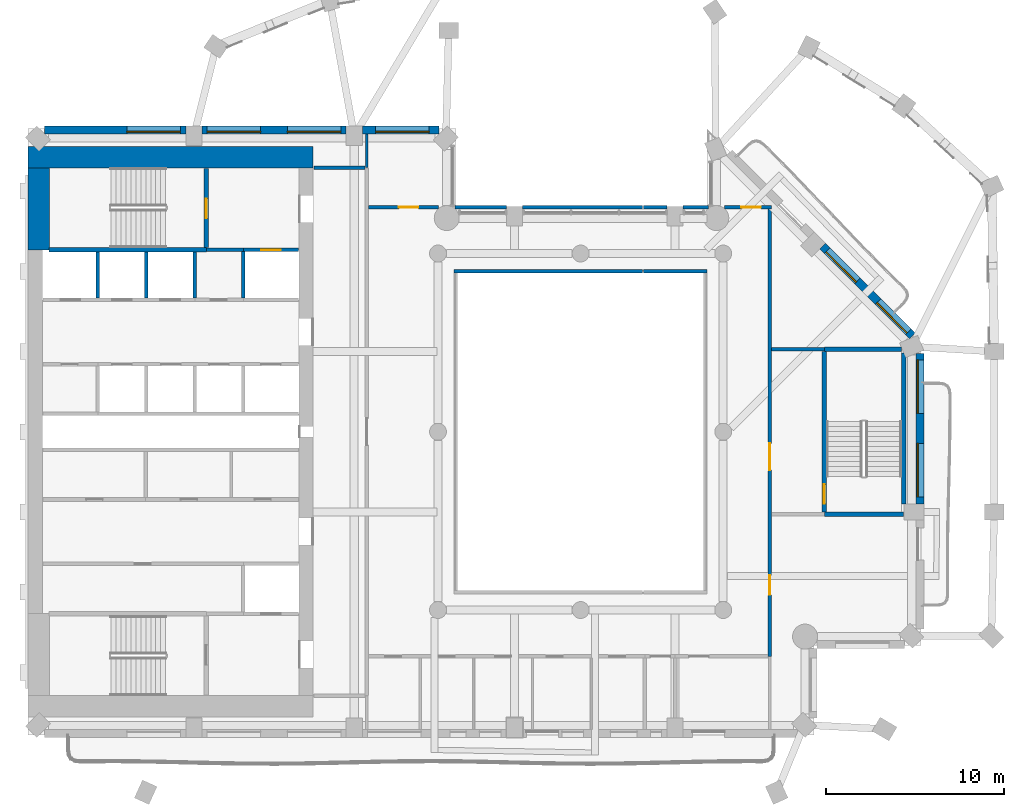
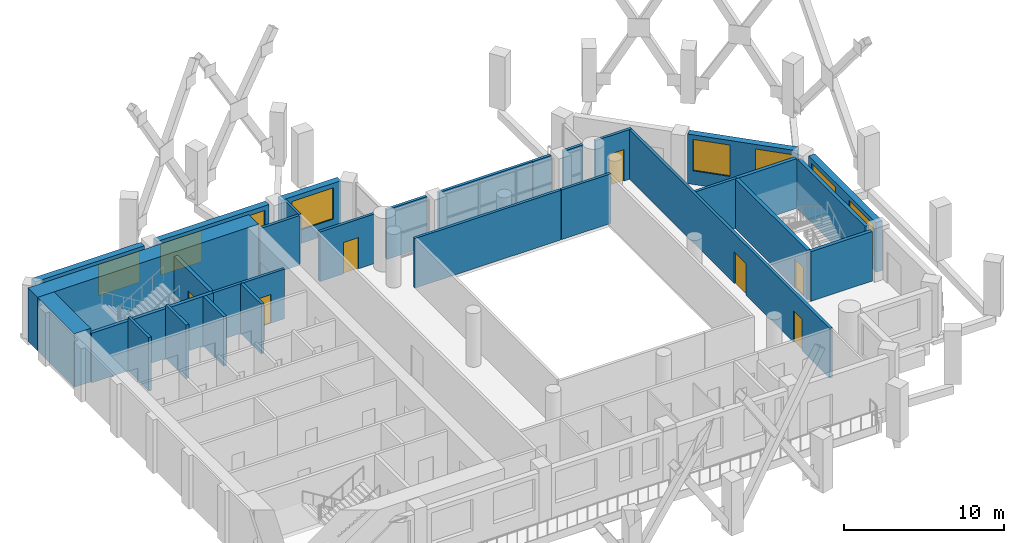
# One storey, part 6 of 15: 31 walls, 8 windows, 7 doors, 15 openings.
"""IFC4 building model written with IfcOpenShell, lengths in metres."""

import ifcopenshell
import ifcopenshell.guid

model = None  # the IFC model being written
_history = None  # IfcOwnerHistory: only IFC2X3 demands one
_inside = {}  # id of a spatial element -> (the spatial element, [elements in it])
_under = {}  # id of a project, library or spatial element -> (it, [spatial elements below it])
_declared = {}  # id of a project -> (the project, [libraries it declares])
_typed = {}  # id of a type object -> (the type object, [elements of that type])
_made_of = {}  # id of a material, layer set ... -> (it, [elements and type objects made of it])


def new_model(schema):
    """Start an empty IFC model of exactly this schema.

    Asked for "IFC4X3", IfcOpenShell would pick the latest addendum, in which some entities
    have other attributes; the version numbers below select the first issue.
    IFC2X3 requires an IfcOwnerHistory on every rooted entity: one is made here for all.
    """
    global model, _history
    if schema == "IFC4X3":
        model = ifcopenshell.file(schema_version=(4, 3, 0, 0))
    else:
        model = ifcopenshell.file(schema=schema)
    _inside.clear()
    _under.clear()
    _declared.clear()
    _typed.clear()
    _made_of.clear()
    _history = None
    if model.schema == "IFC2X3":
        org = make("IfcOrganization", Name="unknown")
        user = make(
            "IfcPersonAndOrganization",
            ThePerson=make("IfcPerson", FamilyName="unknown"),
            TheOrganization=org,
        )
        app = make(
            "IfcApplication",
            ApplicationDeveloper=org,
            Version="unknown",
            ApplicationFullName="unknown",
            ApplicationIdentifier="unknown",
        )
        _history = make(
            "IfcOwnerHistory",
            OwningUser=user,
            OwningApplication=app,
            ChangeAction="ADDED",
            CreationDate=0,
        )
    return model


def make(cls, **values):
    """One entity of the class cls with the attributes given. An attribute that is None is left unset."""
    return model.create_entity(
        cls, **{name: value for name, value in values.items() if value is not None}
    )


def rooted(cls, **values):
    """An entity with a GlobalId (a new one), such as an element, a storey or a relation."""
    return make(cls, GlobalId=ifcopenshell.guid.new(), OwnerHistory=_history, **values)


def si_unit(unit_type, name, prefix=None):
    """IfcSIUnit, for example si_unit("LENGTHUNIT", "METRE", prefix="MILLI")."""
    return make("IfcSIUnit", UnitType=unit_type, Prefix=prefix, Name=name)


def assignment(units):
    """IfcUnitAssignment: the units of a project."""
    return None if units is None else make("IfcUnitAssignment", Units=units)


def point(xyz):
    """IfcCartesianPoint."""
    return None if xyz is None else make("IfcCartesianPoint", Coordinates=xyz)


def direction(xyz):
    """IfcDirection."""
    return None if xyz is None else make("IfcDirection", DirectionRatios=xyz)


def frame(location, z_axis=None, x_axis=None):
    """IfcAxis2Placement3D, a coordinate frame: its origin and axes. An axis left out is left unset."""
    return make(
        "IfcAxis2Placement3D",
        Location=point(location),
        Axis=direction(z_axis),
        RefDirection=direction(x_axis),
    )


def frame_2d(location, x_axis=None):
    """IfcAxis2Placement2D, a coordinate frame in the plane: its origin and x axis."""
    return make(
        "IfcAxis2Placement2D", Location=point(location), RefDirection=direction(x_axis)
    )


def origin():
    """The frame at (0, 0, 0) with its axes left unset."""
    return frame((0.0, 0.0, 0.0))


def place(relative_to, where):
    """IfcLocalPlacement: puts the frame where relative to a parent placement (None: the world)."""
    return make(
        "IfcLocalPlacement", PlacementRelTo=relative_to, RelativePlacement=where
    )


def context(
    kind, dimensions, precision=None, world=None, true_north=None, identifier=None
):
    """IfcGeometricRepresentationContext, for example the 3D "Model" context."""
    return make(
        "IfcGeometricRepresentationContext",
        ContextIdentifier=identifier,
        ContextType=kind,
        CoordinateSpaceDimension=dimensions,
        Precision=precision,
        WorldCoordinateSystem=world,
        TrueNorth=true_north,
    )


def subcontext(parent, identifier, kind, view, scale=None):
    """IfcGeometricRepresentationSubContext, for example "Body" below "Model"."""
    return make(
        "IfcGeometricRepresentationSubContext",
        ContextIdentifier=identifier,
        ContextType=kind,
        ParentContext=parent,
        TargetScale=scale,
        TargetView=view,
    )


def project(units=None, contexts=None):
    """IfcProject with its units and contexts."""
    return rooted(
        "IfcProject",
        Name="project",
        RepresentationContexts=contexts,
        UnitsInContext=assignment(units),
    )


def spatial(cls, under=None, at=None, **own):
    """A site, building, storey or space (cls), placed at a placement, below another one or the project."""
    s = rooted(cls, ObjectPlacement=at, **own)
    if under is not None:
        _under.setdefault(under.id(), (under, []))[1].append(s)
    return s


def profile(cls, at=None, kind="AREA", **sizes):
    """A parametric profile (cls). Its sizes go by their IFC names, for example OverallWidth=200.0."""
    return make(cls, ProfileType=kind, Position=at, **sizes)


def rectangle(**sizes):
    """IfcRectangleProfileDef."""
    return profile("IfcRectangleProfileDef", **sizes)


def extrude(swept, where, along, depth):
    """IfcExtrudedAreaSolid: the profile swept, set in the frame where, extruded along a direction by depth."""
    return make(
        "IfcExtrudedAreaSolid",
        SweptArea=swept,
        Position=where,
        ExtrudedDirection=direction(along),
        Depth=depth,
    )


def shape(context_of_items, identifier, shape_type, items):
    """IfcShapeRepresentation: the items that make up one representation, for example the "Body"."""
    return make(
        "IfcShapeRepresentation",
        ContextOfItems=context_of_items,
        RepresentationIdentifier=identifier,
        RepresentationType=shape_type,
        Items=items,
    )


def material(Name=None, Category=None):
    """IfcMaterial."""
    return make("IfcMaterial", Name=Name, Category=Category)


def layer(
    of_material, thickness, ventilated=None, Name=None, Category=None, Priority=None
):
    """IfcMaterialLayer: one layer of a wall or slab, of a material (None: an air gap)."""
    return make(
        "IfcMaterialLayer",
        Material=of_material,
        LayerThickness=thickness,
        IsVentilated=ventilated,
        Name=Name,
        Category=Category,
        Priority=Priority,
    )


def layer_set(layers, Name=None):
    """IfcMaterialLayerSet."""
    return make("IfcMaterialLayerSet", MaterialLayers=layers, LayerSetName=Name)


def made_of(thing, what):
    """Note that an element or type object is made of a material, layer set ...; save() writes the relation."""
    if what is not None:
        _made_of.setdefault(what.id(), (what, []))[1].append(thing)
    return thing


def type_object(cls, material=None, **own):
    """A type object (cls), such as IfcWallType, which elements share."""
    return made_of(rooted(cls, **own), material)


def element(
    cls,
    number,
    at=None,
    inside=None,
    cuts=None,
    type_object=None,
    material=None,
    context=None,
    identifier="Body",
    shape_type=None,
    held_by="IfcProductDefinitionShape",
    body=None,
    shapes=None,
    **own,
):
    """One element of the class cls, such as IfcWall. Its Tag is "e" and its number.

    at: its placement. inside: the storey or other place that contains it. cuts: it is an
    opening in that element (IfcRelVoidsElement). A single representation is given by context,
    identifier, shape_type and body (its items); several are given by shapes. held_by: the class
    of the entity that holds the representations. save() writes the other relations.
    """
    e = rooted(cls, Tag="e%d" % number, ObjectPlacement=at, **own)
    if body is not None:
        shapes = [shape(context, identifier, shape_type, body)]
    if shapes is not None:
        e.Representation = make(held_by, Representations=shapes)
    if inside is not None:
        _inside.setdefault(inside.id(), (inside, []))[1].append(e)
    if cuts is not None:
        rooted(
            "IfcRelVoidsElement", RelatingBuildingElement=cuts, RelatedOpeningElement=e
        )
    if type_object is not None:
        _typed.setdefault(type_object.id(), (type_object, []))[1].append(e)
    return made_of(e, material)


def fill(opening, filler):
    """IfcRelFillsElement: the door or window that sits in an opening."""
    return rooted(
        "IfcRelFillsElement",
        RelatingOpeningElement=opening,
        RelatedBuildingElement=filler,
    )


def aggregate(whole, parts):
    """IfcRelAggregates: a whole, such as a stair, and the parts it consists of."""
    return rooted("IfcRelAggregates", RelatingObject=whole, RelatedObjects=parts)


def save(model, path):
    """Write the relations noted so far, then the file.

    IfcRelAggregates (storeys below a building ...), IfcRelContainedInSpatialStructure (elements
    in a storey), IfcRelDefinesByType, IfcRelAssociatesMaterial and IfcRelDeclares: one each for
    every whole, place, type object, material and project.
    """
    for whole, parts in _under.values():
        aggregate(whole, parts)
    for where, things in _inside.values():
        rooted(
            "IfcRelContainedInSpatialStructure",
            RelatedElements=things,
            RelatingStructure=where,
        )
    for kind, things in _typed.values():
        rooted("IfcRelDefinesByType", RelatedObjects=things, RelatingType=kind)
    for what, things in _made_of.values():
        rooted("IfcRelAssociatesMaterial", RelatedObjects=things, RelatingMaterial=what)
    for by, libraries in _declared.values():
        rooted("IfcRelDeclares", RelatingContext=by, RelatedDefinitions=libraries)
    model.write(path)


model = new_model("IFC4")

# Units and contexts
model_context = context("Model", 3, precision=1e-05, world=origin(), true_north=direction((0.0, 1.0)))
body_context = subcontext(model_context, "Body", "Model", "MODEL_VIEW")
ifc_project = project(units=[si_unit("LENGTHUNIT", "METRE"), si_unit("AREAUNIT", "SQUARE_METRE"), si_unit("VOLUMEUNIT", "CUBIC_METRE"), si_unit("PLANEANGLEUNIT", "RADIAN"), si_unit("MASSUNIT", "GRAM", prefix="KILO")], contexts=[model_context])

# Site, building, storey
site_placement = place(None, origin())
site = spatial("IfcSite", under=ifc_project, at=site_placement, CompositionType="ELEMENT")
building_placement = place(site_placement, origin())
building = spatial("IfcBuilding", under=site, at=building_placement, Name="Cypress Arch Tower", CompositionType="ELEMENT")
storey_placement = place(building_placement, frame((0.0, 0.0, 205.60009765625)))
storey = spatial("IfcBuildingStorey", under=building, at=storey_placement, Name="L45", CompositionType="ELEMENT", Elevation=205.60009765625)

# Wall, openings, windows
ifc_material_1 = material(Name="Brick (red buff blend)", Category="masonry")
ifc_layer_1 = layer(ifc_material_1, 0.449951171875)
ifc_layer_set_1 = layer_set([ifc_layer_1], Name="Brick pier and spandrel wall BW450")
wall_type_1 = type_object("IfcWallType", Name="Brick pier and spandrel wall BW450", PredefinedType="SOLIDWALL", material=ifc_layer_set_1)
wall_1_placement = place(storey_placement, frame((20.02490234375, -4.050048828125, 0.0), z_axis=(0.0, 0.0, 1.0), x_axis=(0.0, 1.0, 0.0)))
wall_1 = element("IfcWall", 1, at=wall_1_placement, inside=storey, type_object=wall_type_1, Name="Brick wall L45 B04.1", PredefinedType="SOLIDWALL", context=body_context, shape_type="SweptSolid", body=[
    extrude(rectangle(XDim=8.438720703125, YDim=0.449951171875, at=frame_2d((4.21923828125, 0.0))), origin(), (0.0, 0.0, 1.0), 3.7998046875),
])
opening_1_placement = place(wall_1_placement, frame((0.39404296875, 0.0, 1.050048828125)))
opening_1 = element("IfcOpeningElement", 2, at=opening_1_placement, cuts=wall_1, Name="Opening W300OD", PredefinedType="OPENING", context=body_context, shape_type="SweptSolid", body=[
    extrude(rectangle(XDim=3.0, YDim=2.39990234375, at=frame_2d((1.5, 1.199951171875))), frame((0.0, 0.23486328125, 0.0), z_axis=(0.0, -1.0, 0.0), x_axis=(1.0, 0.0, 0.0)), (0.0, 0.0, 1.0), 0.469970703125),
])
opening_2_placement = place(wall_1_placement, frame((5.081787109375, 0.0, 1.050048828125)))
opening_2 = element("IfcOpeningElement", 3, at=opening_2_placement, cuts=wall_1, Name="Opening W300OD", PredefinedType="OPENING", context=body_context, shape_type="SweptSolid", body=[
    extrude(rectangle(XDim=3.0, YDim=2.39990234375, at=frame_2d((1.5, 1.199951171875))), frame((0.0, 0.23486328125, 0.0), z_axis=(0.0, -1.0, 0.0), x_axis=(1.0, 0.0, 0.0)), (0.0, 0.0, 1.0), 0.469970703125),
])
ifc_material_2 = material(Name="Anodised aluminium, bronze finish, laminated low-emissivity double glazing, large-missile impact rated", Category="aluminium")
window_type_1 = type_object("IfcWindowType", Name="Window Office 3000x2400 debris-rated", PartitioningType="SINGLE_PANEL", PredefinedType="WINDOW", material=ifc_material_2)
window_1_placement = place(opening_1_placement, origin())
window_1 = element("IfcWindow", 4, at=window_1_placement, inside=storey, type_object=window_type_1, Name="Window L45 B04.1.1", OverallHeight=2.39990234375, OverallWidth=3.0, PartitioningType="SINGLE_PANEL", PredefinedType="WINDOW", context=body_context, shape_type="SweptSolid", body=[
    extrude(rectangle(XDim=3.0, YDim=2.39990234375, at=frame_2d((1.5, 1.199951171875))), frame((0.0, 0.135009765625, 0.0), z_axis=(0.0, -1.0, 0.0), x_axis=(1.0, 0.0, 0.0)), (0.0, 0.0, 1.0), 0.06005859375),
])
fill(opening_1, window_1)
window_2_placement = place(opening_2_placement, origin())
window_2 = element("IfcWindow", 5, at=window_2_placement, inside=storey, type_object=window_type_1, Name="Window L45 B04.1.2", OverallHeight=2.39990234375, OverallWidth=3.0, PartitioningType="SINGLE_PANEL", PredefinedType="WINDOW", context=body_context, shape_type="SweptSolid", body=[
    extrude(rectangle(XDim=3.0, YDim=2.39990234375, at=frame_2d((1.5, 1.199951171875))), frame((0.0, 0.135009765625, 0.0), z_axis=(0.0, -1.0, 0.0), x_axis=(1.0, 0.0, 0.0)), (0.0, 0.0, 1.0), 0.06005859375),
])
fill(opening_2, window_2)

wall_2_placement = place(storey_placement, frame((19.61474609375, 5.379150390625, 0.0), z_axis=(0.0, 0.0, 1.0), x_axis=(-0.707089646058, 0.7071239159, 0.0)))
wall_2 = element("IfcWall", 6, at=wall_2_placement, inside=storey, type_object=wall_type_1, Name="Brick wall L45 B05.0", PredefinedType="SOLIDWALL", context=body_context, shape_type="SweptSolid", body=[
    extrude(rectangle(XDim=7.1240234375, YDim=0.449951171875, at=frame_2d((3.56201171875, 0.0))), origin(), (0.0, 0.0, 1.0), 3.7998046875),
])
opening_3_placement = place(wall_2_placement, frame((0.328125, 0.0, 1.050048828125)))
opening_3 = element("IfcOpeningElement", 7, at=opening_3_placement, cuts=wall_2, Name="Opening W240OD", PredefinedType="OPENING", context=body_context, shape_type="SweptSolid", body=[
    extrude(rectangle(XDim=2.39990234375, YDim=2.39990234375, at=frame_2d((1.199951171875, 1.199951171875))), frame((0.0, 0.23486328125, 0.0), z_axis=(0.0, -1.0, 0.0), x_axis=(1.0, 0.0, 0.0)), (0.0, 0.0, 1.0), 0.469970703125),
])
opening_4_placement = place(wall_2_placement, frame((4.358642578125, 0.0, 1.050048828125)))
opening_4 = element("IfcOpeningElement", 8, at=opening_4_placement, cuts=wall_2, Name="Opening W240OD", PredefinedType="OPENING", context=body_context, shape_type="SweptSolid", body=[
    extrude(rectangle(XDim=2.39990234375, YDim=2.39990234375, at=frame_2d((1.199951171875, 1.199951171875))), frame((0.0, 0.23486328125, 0.0), z_axis=(0.0, -1.0, 0.0), x_axis=(1.0, 0.0, 0.0)), (0.0, 0.0, 1.0), 0.469970703125),
])
ifc_material_3 = material(Name="Anodised aluminium, bronze finish, laminated low-emissivity double glazing, large-missile impact rated", Category="aluminium")
window_type_2 = type_object("IfcWindowType", Name="Window Office 2400x2400 debris-rated", PartitioningType="SINGLE_PANEL", PredefinedType="WINDOW", material=ifc_material_3)
window_3_placement = place(opening_3_placement, origin())
window_3 = element("IfcWindow", 9, at=window_3_placement, inside=storey, type_object=window_type_2, Name="Window L45 B05.0.1", OverallHeight=2.39990234375, OverallWidth=2.39990234375, PartitioningType="SINGLE_PANEL", PredefinedType="WINDOW", context=body_context, shape_type="SweptSolid", body=[
    extrude(rectangle(XDim=2.39990234375, YDim=2.39990234375, at=frame_2d((1.199951171875, 1.199951171875))), frame((0.0, 0.135009765625, 0.0), z_axis=(0.0, -1.0, 0.0), x_axis=(1.0, 0.0, 0.0)), (0.0, 0.0, 1.0), 0.06005859375),
])
fill(opening_3, window_3)
window_4_placement = place(opening_4_placement, origin())
window_4 = element("IfcWindow", 10, at=window_4_placement, inside=storey, type_object=window_type_2, Name="Window L45 B05.0.2", OverallHeight=2.39990234375, OverallWidth=2.39990234375, PartitioningType="SINGLE_PANEL", PredefinedType="WINDOW", context=body_context, shape_type="SweptSolid", body=[
    extrude(rectangle(XDim=2.39990234375, YDim=2.39990234375, at=frame_2d((1.199951171875, 1.199951171875))), frame((0.0, 0.135009765625, 0.0), z_axis=(0.0, -1.0, 0.0), x_axis=(1.0, 0.0, 0.0)), (0.0, 0.0, 1.0), 0.06005859375),
])
fill(opening_4, window_4)

# Wall, opening, window
wall_3_placement = place(storey_placement, frame((-6.936279296875, 16.925048828125, 0.0), z_axis=(0.0, 0.0, 1.0), x_axis=(-1.0, 0.0, 0.0)))
wall_3 = element("IfcWall", 11, at=wall_3_placement, inside=storey, type_object=wall_type_1, Name="Brick wall L45 B09.0", PredefinedType="SOLIDWALL", context=body_context, shape_type="SweptSolid", body=[
    extrude(rectangle(XDim=4.313720703125, YDim=0.449951171875, at=frame_2d((2.15673828125, 0.0))), origin(), (0.0, 0.0, 1.0), 3.7998046875),
])
opening_5_placement = place(wall_3_placement, frame((0.563720703125, 0.0, 1.050048828125)))
opening_5 = element("IfcOpeningElement", 12, at=opening_5_placement, cuts=wall_3, Name="Opening W300O", PredefinedType="OPENING", context=body_context, shape_type="SweptSolid", body=[
    extrude(rectangle(XDim=3.0, YDim=2.39990234375, at=frame_2d((1.5, 1.199951171875))), frame((0.0, 0.23486328125, 0.0), z_axis=(0.0, -1.0, 0.0), x_axis=(1.0, 0.0, 0.0)), (0.0, 0.0, 1.0), 0.469970703125),
])
ifc_material_4 = material(Name="Anodised aluminium, bronze finish, clear low-emissivity double glazing", Category="aluminium")
window_type_3 = type_object("IfcWindowType", Name="Window Office 3000x2400", PartitioningType="SINGLE_PANEL", PredefinedType="WINDOW", material=ifc_material_4)
window_5_placement = place(opening_5_placement, origin())
window_5 = element("IfcWindow", 13, at=window_5_placement, inside=storey, type_object=window_type_3, Name="Window L45 B09.0.1", OverallHeight=2.39990234375, OverallWidth=3.0, PartitioningType="SINGLE_PANEL", PredefinedType="WINDOW", context=body_context, shape_type="SweptSolid", body=[
    extrude(rectangle(XDim=3.0, YDim=2.39990234375, at=frame_2d((1.5, 1.199951171875))), frame((0.0, 0.135009765625, 0.0), z_axis=(0.0, -1.0, 0.0), x_axis=(1.0, 0.0, 0.0)), (0.0, 0.0, 1.0), 0.06005859375),
])
fill(opening_5, window_5)

# Wall, openings, windows
wall_4_placement = place(storey_placement, frame((-12.14990234375, 16.925048828125, 0.0), z_axis=(0.0, 0.0, 1.0), x_axis=(-1.0, 0.0, 0.0)))
wall_4 = element("IfcWall", 14, at=wall_4_placement, inside=storey, type_object=wall_type_1, Name="Brick wall L45 B09.1", PredefinedType="SOLIDWALL", context=body_context, shape_type="SweptSolid", body=[
    extrude(rectangle(XDim=8.10009765625, YDim=0.449951171875, at=frame_2d((4.050048828125, 0.0))), origin(), (0.0, 0.0, 1.0), 3.7998046875),
])
opening_6_placement = place(wall_4_placement, frame((0.300048828125, 0.0, 1.050048828125)))
opening_6 = element("IfcOpeningElement", 15, at=opening_6_placement, cuts=wall_4, Name="Opening W300O", PredefinedType="OPENING", context=body_context, shape_type="SweptSolid", body=[
    extrude(rectangle(XDim=3.0, YDim=2.39990234375, at=frame_2d((1.5, 1.199951171875))), frame((0.0, 0.23486328125, 0.0), z_axis=(0.0, -1.0, 0.0), x_axis=(1.0, 0.0, 0.0)), (0.0, 0.0, 1.0), 0.469970703125),
])
opening_7_placement = place(wall_4_placement, frame((4.800048828125, 0.0, 1.050048828125)))
opening_7 = element("IfcOpeningElement", 16, at=opening_7_placement, cuts=wall_4, Name="Opening W300O", PredefinedType="OPENING", context=body_context, shape_type="SweptSolid", body=[
    extrude(rectangle(XDim=3.0, YDim=2.39990234375, at=frame_2d((1.5, 1.199951171875))), frame((0.0, 0.23486328125, 0.0), z_axis=(0.0, -1.0, 0.0), x_axis=(1.0, 0.0, 0.0)), (0.0, 0.0, 1.0), 0.469970703125),
])
window_6_placement = place(opening_6_placement, origin())
window_6 = element("IfcWindow", 17, at=window_6_placement, inside=storey, type_object=window_type_3, Name="Window L45 B09.1.1", OverallHeight=2.39990234375, OverallWidth=3.0, PartitioningType="SINGLE_PANEL", PredefinedType="WINDOW", context=body_context, shape_type="SweptSolid", body=[
    extrude(rectangle(XDim=3.0, YDim=2.39990234375, at=frame_2d((1.5, 1.199951171875))), frame((0.0, 0.135009765625, 0.0), z_axis=(0.0, -1.0, 0.0), x_axis=(1.0, 0.0, 0.0)), (0.0, 0.0, 1.0), 0.06005859375),
])
fill(opening_6, window_6)
window_7_placement = place(opening_7_placement, origin())
window_7 = element("IfcWindow", 18, at=window_7_placement, inside=storey, type_object=window_type_3, Name="Window L45 B09.1.2", OverallHeight=2.39990234375, OverallWidth=3.0, PartitioningType="SINGLE_PANEL", PredefinedType="WINDOW", context=body_context, shape_type="SweptSolid", body=[
    extrude(rectangle(XDim=3.0, YDim=2.39990234375, at=frame_2d((1.5, 1.199951171875))), frame((0.0, 0.135009765625, 0.0), z_axis=(0.0, -1.0, 0.0), x_axis=(1.0, 0.0, 0.0)), (0.0, 0.0, 1.0), 0.06005859375),
])
fill(opening_7, window_7)

# Wall, opening, window
wall_5_placement = place(storey_placement, frame((-21.14990234375, 16.925048828125, 0.0), z_axis=(0.0, 0.0, 1.0), x_axis=(-1.0, 0.0, 0.0)))
wall_5 = element("IfcWall", 19, at=wall_5_placement, inside=storey, type_object=wall_type_1, Name="Brick wall L45 B09.2", PredefinedType="SOLIDWALL", context=body_context, shape_type="SweptSolid", body=[
    extrude(rectangle(XDim=7.913818359375, YDim=0.449951171875, at=frame_2d((3.95703125, 0.0))), origin(), (0.0, 0.0, 1.0), 3.7998046875),
])
opening_8_placement = place(wall_5_placement, frame((0.300048828125, 0.0, 1.050048828125)))
opening_8 = element("IfcOpeningElement", 20, at=opening_8_placement, cuts=wall_5, Name="Opening W300O", PredefinedType="OPENING", context=body_context, shape_type="SweptSolid", body=[
    extrude(rectangle(XDim=3.0, YDim=2.39990234375, at=frame_2d((1.5, 1.199951171875))), frame((0.0, 0.23486328125, 0.0), z_axis=(0.0, -1.0, 0.0), x_axis=(1.0, 0.0, 0.0)), (0.0, 0.0, 1.0), 0.469970703125),
])
window_8_placement = place(opening_8_placement, origin())
window_8 = element("IfcWindow", 21, at=window_8_placement, inside=storey, type_object=window_type_3, Name="Window L45 B09.2.1", OverallHeight=2.39990234375, OverallWidth=3.0, PartitioningType="SINGLE_PANEL", PredefinedType="WINDOW", context=body_context, shape_type="SweptSolid", body=[
    extrude(rectangle(XDim=3.0, YDim=2.39990234375, at=frame_2d((1.5, 1.199951171875))), frame((0.0, 0.135009765625, 0.0), z_axis=(0.0, -1.0, 0.0), x_axis=(1.0, 0.0, 0.0)), (0.0, 0.0, 1.0), 0.06005859375),
])
fill(opening_8, window_8)

# Walls
ifc_material_5 = material(Name="Concrete C70/85", Category="concrete")
ifc_layer_2 = layer(ifc_material_5, 1.199951171875)
ifc_layer_set_2 = layer_set([ifc_layer_2], Name="Core wall CW1200 C70/85")
wall_type_2 = type_object("IfcWallType", Name="Core wall CW1200 C70/85", PredefinedType="SHEAR", material=ifc_layer_set_2)
wall_6_placement = place(storey_placement, frame((-30.0, 15.39990234375, 0.0), z_axis=(0.0, 0.0, 1.0), x_axis=(1.0, 0.0, 0.0)))
element("IfcWall", 22, at=wall_6_placement, inside=storey, type_object=wall_type_2, Name="Core wall", PredefinedType="SHEAR", context=body_context, shape_type="SweptSolid", body=[
    extrude(rectangle(XDim=16.0, YDim=1.199951171875, at=frame_2d((8.0, 0.0))), origin(), (0.0, 0.0, 1.0), 4.099853515625),
])
wall_7_placement = place(storey_placement, frame((-29.39990234375, 10.199951171875, 0.0), z_axis=(0.0, 0.0, 1.0), x_axis=(0.0, 1.0, 0.0)))
element("IfcWall", 23, at=wall_7_placement, inside=storey, type_object=wall_type_2, Name="Core wall", PredefinedType="SHEAR", context=body_context, shape_type="SweptSolid", body=[
    extrude(rectangle(XDim=4.60009765625, YDim=1.199951171875, at=frame_2d((2.300048828125, 0.0))), origin(), (0.0, 0.0, 1.0), 4.099853515625),
])
ifc_material_6 = material(Name="Concrete blockwork, plastered, rated", Category="masonry")
ifc_layer_3 = layer(ifc_material_6, 0.199951171875)
ifc_layer_set_3 = layer_set([ifc_layer_3], Name="Corridor wall FW200")
wall_type_3 = type_object("IfcWallType", Name="Corridor wall FW200", PredefinedType="PARTITIONING", material=ifc_layer_set_3)
wall_8_placement = place(storey_placement, frame((-20.0, 10.199951171875, 0.0), z_axis=(0.0, 0.0, 1.0), x_axis=(1.0, 0.0, 0.0)))
element("IfcWall", 24, at=wall_8_placement, inside=storey, type_object=wall_type_3, Name="Corridor wall", PredefinedType="PARTITIONING", context=body_context, shape_type="SweptSolid", body=[
    extrude(rectangle(XDim=2.080078125, YDim=0.199951171875, at=frame_2d((1.0400390625, 0.0))), origin(), (0.0, 0.0, 1.0), 3.7998046875),
])
wall_9_placement = place(storey_placement, frame((-13.969970703125, 14.800048828125, 0.0), z_axis=(0.0, 0.0, 1.0), x_axis=(1.0, 0.0, 0.0)))
element("IfcWall", 25, at=wall_9_placement, inside=storey, type_object=wall_type_3, Name="Corridor wall", PredefinedType="PARTITIONING", context=body_context, shape_type="SweptSolid", body=[
    extrude(rectangle(XDim=2.869873046875, YDim=0.199951171875, at=frame_2d((1.43505859375, 0.0))), origin(), (0.0, 0.0, 1.0), 3.7998046875),
])

# Wall, opening, door
wall_10_placement = place(storey_placement, frame((-10.89990234375, 12.60009765625, 0.0), z_axis=(0.0, 0.0, 1.0), x_axis=(1.0, 0.0, 0.0)))
wall_10 = element("IfcWall", 26, at=wall_10_placement, inside=storey, type_object=wall_type_3, Name="Corridor wall", PredefinedType="PARTITIONING", context=body_context, shape_type="SweptSolid", body=[
    extrude(rectangle(XDim=3.935302734375, YDim=0.199951171875, at=frame_2d((1.9677734375, 0.0))), origin(), (0.0, 0.0, 1.0), 3.7998046875),
])
opening_9_placement = place(wall_10_placement, frame((1.699951171875, 0.0, 0.0)))
opening_9 = element("IfcOpeningElement", 27, at=opening_9_placement, cuts=wall_10, Name="Opening D01", PredefinedType="OPENING", context=body_context, shape_type="SweptSolid", body=[
    extrude(rectangle(XDim=1.10009765625, YDim=2.39990234375, at=frame_2d((0.550048828125, 1.199951171875))), frame((0.0, 0.10986328125, 0.0), z_axis=(0.0, -1.0, 0.0), x_axis=(1.0, 0.0, 0.0)), (0.0, 0.0, 1.0), 0.219970703125),
])
ifc_material_7 = material(Name="Timber flush door, fire resisting, self-closing", Category="wood")
door_type_1 = type_object("IfcDoorType", Name="Unit entrance door D01 1100x2400", OperationType="SINGLE_SWING_LEFT", PredefinedType="DOOR", material=ifc_material_7)
door_1_placement = place(opening_9_placement, origin())
door_1 = element("IfcDoor", 28, at=door_1_placement, inside=storey, type_object=door_type_1, Name="Unit entrance door", OperationType="SINGLE_SWING_LEFT", OverallHeight=2.39990234375, OverallWidth=1.10009765625, PredefinedType="DOOR", context=body_context, shape_type="SweptSolid", body=[
    extrude(rectangle(XDim=1.10009765625, YDim=2.39990234375, at=frame_2d((0.550048828125, 1.199951171875))), frame((0.0, 0.02490234375, 0.0), z_axis=(0.0, -1.0, 0.0), x_axis=(1.0, 0.0, 0.0)), (0.0, 0.0, 1.0), 0.050048828125),
])
fill(opening_9, door_1)

# Walls
wall_11_placement = place(storey_placement, frame((-6.0595703125, 12.60009765625, 0.0), z_axis=(0.0, 0.0, 1.0), x_axis=(1.0, 0.0, 0.0)))
element("IfcWall", 29, at=wall_11_placement, inside=storey, type_object=wall_type_3, Name="Corridor wall", PredefinedType="PARTITIONING", context=body_context, shape_type="SweptSolid", body=[
    extrude(rectangle(XDim=2.90966796875, YDim=0.199951171875, at=frame_2d((1.454833984375, 0.0))), origin(), (0.0, 0.0, 1.0), 3.7998046875),
])
wall_12_placement = place(storey_placement, frame((-2.25, 12.60009765625, 0.0), z_axis=(0.0, 0.0, 1.0), x_axis=(1.0, 0.0, 0.0)))
element("IfcWall", 30, at=wall_12_placement, inside=storey, type_object=wall_type_3, Name="Corridor wall", PredefinedType="PARTITIONING", context=body_context, shape_type="SweptSolid", body=[
    extrude(rectangle(XDim=6.72998046875, YDim=0.199951171875, at=frame_2d((3.364990234375, 0.0))), origin(), (0.0, 0.0, 1.0), 3.7998046875),
])
wall_13_placement = place(storey_placement, frame((-6.10009765625, 9.0, 0.0), z_axis=(0.0, 0.0, 1.0), x_axis=(1.0, 0.0, 0.0)))
element("IfcWall", 31, at=wall_13_placement, inside=storey, type_object=wall_type_3, Name="Corridor wall", PredefinedType="PARTITIONING", context=body_context, shape_type="SweptSolid", body=[
    extrude(rectangle(XDim=10.580078125, YDim=0.199951171875, at=frame_2d((5.2900390625, 0.0))), origin(), (0.0, 0.0, 1.0), 3.7998046875),
])
wall_14_placement = place(storey_placement, frame((4.52001953125, 9.0, 0.0), z_axis=(0.0, 0.0, 1.0), x_axis=(1.0, 0.0, 0.0)))
element("IfcWall", 32, at=wall_14_placement, inside=storey, type_object=wall_type_3, Name="Corridor wall", PredefinedType="PARTITIONING", context=body_context, shape_type="SweptSolid", body=[
    extrude(rectangle(XDim=3.580078125, YDim=0.199951171875, at=frame_2d((1.7900390625, 0.0))), origin(), (0.0, 0.0, 1.0), 3.7998046875),
])
wall_15_placement = place(storey_placement, frame((4.52001953125, 12.60009765625, 0.0), z_axis=(0.0, 0.0, 1.0), x_axis=(1.0, 0.0, 0.0)))
element("IfcWall", 33, at=wall_15_placement, inside=storey, type_object=wall_type_3, Name="Corridor wall", PredefinedType="PARTITIONING", context=body_context, shape_type="SweptSolid", body=[
    extrude(rectangle(XDim=1.330078125, YDim=0.199951171875, at=frame_2d((0.6650390625, 0.0))), origin(), (0.0, 0.0, 1.0), 3.7998046875),
])
wall_16_placement = place(storey_placement, frame((6.75, 12.60009765625, 0.0), z_axis=(0.0, 0.0, 1.0), x_axis=(1.0, 0.0, 0.0)))
element("IfcWall", 34, at=wall_16_placement, inside=storey, type_object=wall_type_3, Name="Corridor wall", PredefinedType="PARTITIONING", context=body_context, shape_type="SweptSolid", body=[
    extrude(rectangle(XDim=1.40966796875, YDim=0.199951171875, at=frame_2d((0.704833984375, 0.0))), origin(), (0.0, 0.0, 1.0), 3.7998046875),
])

# Wall, opening, door
wall_17_placement = place(storey_placement, frame((9.064697265625, 12.60009765625, 0.0), z_axis=(0.0, 0.0, 1.0), x_axis=(1.0, 0.0, 0.0)))
wall_17 = element("IfcWall", 35, at=wall_17_placement, inside=storey, type_object=wall_type_3, Name="Corridor wall", PredefinedType="PARTITIONING", context=body_context, shape_type="SweptSolid", body=[
    extrude(rectangle(XDim=2.63525390625, YDim=0.199951171875, at=frame_2d((1.317626953125, 0.0))), origin(), (0.0, 0.0, 1.0), 3.7998046875),
])
opening_10_placement = place(wall_17_placement, frame((0.949951171875, 0.0, 0.0)))
opening_10 = element("IfcOpeningElement", 36, at=opening_10_placement, cuts=wall_17, Name="Opening D01", PredefinedType="OPENING", context=body_context, shape_type="SweptSolid", body=[
    extrude(rectangle(XDim=1.10009765625, YDim=2.39990234375, at=frame_2d((0.550048828125, 1.199951171875))), frame((0.0, 0.10986328125, 0.0), z_axis=(0.0, -1.0, 0.0), x_axis=(1.0, 0.0, 0.0)), (0.0, 0.0, 1.0), 0.219970703125),
])
door_2_placement = place(opening_10_placement, origin())
door_2 = element("IfcDoor", 37, at=door_2_placement, inside=storey, type_object=door_type_1, Name="Unit entrance door", OperationType="SINGLE_SWING_RIGHT", OverallHeight=2.39990234375, OverallWidth=1.10009765625, PredefinedType="DOOR", context=body_context, shape_type="SweptSolid", body=[
    extrude(rectangle(XDim=1.10009765625, YDim=2.39990234375, at=frame_2d((0.550048828125, 1.199951171875))), frame((0.0, 0.02490234375, 0.0), z_axis=(0.0, -1.0, 0.0), x_axis=(1.0, 0.0, 0.0)), (0.0, 0.0, 1.0), 0.050048828125),
])
fill(opening_10, door_2)

# Wall, openings, doors
wall_18_placement = place(storey_placement, frame((11.60009765625, -12.60009765625, 0.0), z_axis=(0.0, 0.0, 1.0), x_axis=(0.0, 1.0, 0.0)))
wall_18 = element("IfcWall", 38, at=wall_18_placement, inside=storey, type_object=wall_type_3, Name="Corridor wall", PredefinedType="PARTITIONING", context=body_context, shape_type="SweptSolid", body=[
    extrude(rectangle(XDim=25.10009765625, YDim=0.199951171875, at=frame_2d((12.550048828125, 0.0))), origin(), (0.0, 0.0, 1.0), 3.7998046875),
])
opening_11_placement = place(wall_18_placement, frame((10.449951171875, 0.0, 0.0)))
opening_11 = element("IfcOpeningElement", 39, at=opening_11_placement, cuts=wall_18, Name="Opening D07", PredefinedType="OPENING", context=body_context, shape_type="SweptSolid", body=[
    extrude(rectangle(XDim=1.5, YDim=2.39990234375, at=frame_2d((0.75, 1.199951171875))), frame((0.0, 0.10986328125, 0.0), z_axis=(0.0, -1.0, 0.0), x_axis=(1.0, 0.0, 0.0)), (0.0, 0.0, 1.0), 0.219970703125),
])
opening_12_placement = place(wall_18_placement, frame((3.449951171875, 0.0, 0.0)))
opening_12 = element("IfcOpeningElement", 40, at=opening_12_placement, cuts=wall_18, Name="Opening D01", PredefinedType="OPENING", context=body_context, shape_type="SweptSolid", body=[
    extrude(rectangle(XDim=1.10009765625, YDim=2.39990234375, at=frame_2d((0.550048828125, 1.199951171875))), frame((0.0, 0.10986328125, 0.0), z_axis=(0.0, -1.0, 0.0), x_axis=(1.0, 0.0, 0.0)), (0.0, 0.0, 1.0), 0.219970703125),
])
ifc_material_8 = material(Name="Steel framed glazed door, fire resisting", Category="steel")
door_type_2 = type_object("IfcDoorType", Name="Lobby door D07 1500x2400", OperationType="DOUBLE_DOOR_SINGLE_SWING", PredefinedType="DOOR", material=ifc_material_8)
door_3_placement = place(opening_11_placement, origin())
door_3 = element("IfcDoor", 41, at=door_3_placement, inside=storey, type_object=door_type_2, Name="Lobby door", OperationType="DOUBLE_DOOR_SINGLE_SWING", OverallHeight=2.39990234375, OverallWidth=1.5, PredefinedType="DOOR", context=body_context, shape_type="SweptSolid", body=[
    extrude(rectangle(XDim=1.5, YDim=2.39990234375, at=frame_2d((0.75, 1.199951171875))), frame((0.0, 0.02490234375, 0.0), z_axis=(0.0, -1.0, 0.0), x_axis=(1.0, 0.0, 0.0)), (0.0, 0.0, 1.0), 0.050048828125),
])
fill(opening_11, door_3)
door_4_placement = place(opening_12_placement, origin())
door_4 = element("IfcDoor", 42, at=door_4_placement, inside=storey, type_object=door_type_1, Name="Unit entrance door", OperationType="SINGLE_SWING_RIGHT", OverallHeight=2.39990234375, OverallWidth=1.10009765625, PredefinedType="DOOR", context=body_context, shape_type="SweptSolid", body=[
    extrude(rectangle(XDim=1.10009765625, YDim=2.39990234375, at=frame_2d((0.550048828125, 1.199951171875))), frame((0.0, 0.02490234375, 0.0), z_axis=(0.0, -1.0, 0.0), x_axis=(1.0, 0.0, 0.0)), (0.0, 0.0, 1.0), 0.050048828125),
])
fill(opening_12, door_4)

# Walls
wall_19_placement = place(storey_placement, frame((11.699951171875, 4.625, 0.0), z_axis=(0.0, 0.0, 1.0), x_axis=(1.0, 0.0, 0.0)))
element("IfcWall", 43, at=wall_19_placement, inside=storey, type_object=wall_type_3, Name="Corridor wall", PredefinedType="PARTITIONING", context=body_context, shape_type="SweptSolid", body=[
    extrude(rectangle(XDim=2.97509765625, YDim=0.199951171875, at=frame_2d((1.487548828125, 0.0))), origin(), (0.0, 0.0, 1.0), 3.7998046875),
])
ifc_material_9 = material(Name="Blockwork, plastered both sides", Category="masonry")
ifc_layer_4 = layer(ifc_material_9, 0.14990234375)
ifc_layer_set_4 = layer_set([ifc_layer_4], Name="Partition PW150")
wall_type_4 = type_object("IfcWallType", Name="Partition PW150", PredefinedType="PARTITIONING", material=ifc_layer_set_4)
wall_20_placement = place(storey_placement, frame((-11.0, 14.820068359375, 0.0), z_axis=(0.0, 0.0, 1.0), x_axis=(0.0, 1.0, 0.0)))
element("IfcWall", 44, at=wall_20_placement, inside=storey, type_object=wall_type_4, Name="Partition", PredefinedType="PARTITIONING", context=body_context, shape_type="SweptSolid", body=[
    extrude(rectangle(XDim=1.8798828125, YDim=0.14990234375, at=frame_2d((0.93994140625, 0.0))), origin(), (0.0, 0.0, 1.0), 3.7998046875),
])
ifc_material_10 = material(Name="Concrete C50/60", Category="concrete")
ifc_layer_5 = layer(ifc_material_10, 0.199951171875)
ifc_layer_set_5 = layer_set([ifc_layer_5], Name="Shaft wall SH200")
wall_type_5 = type_object("IfcWallType", Name="Shaft wall SH200", PredefinedType="SHEAR", material=ifc_layer_set_5)
for number, where, z_axis, x_axis, name in (
    (45, (-26.080078125, 7.5, 0.0), (0.0, 0.0, 1.0), (0.0, 1.0, 0.0), "Shaft wall"),
    (46, (-23.360107421875, 7.5, 0.0), (0.0, 0.0, 1.0), (0.0, 1.0, 0.0), "Shaft wall"),
):
    element("IfcWall", number, at=place(storey_placement, frame(where, z_axis=z_axis, x_axis=x_axis)), inside=storey, type_object=wall_type_5, Name=name, PredefinedType="SHEAR", context=body_context, shape_type="SweptSolid", body=[
        extrude(rectangle(XDim=2.574951171875, YDim=0.199951171875, at=frame_2d((1.28759765625, 0.0))), origin(), (0.0, 0.0, 1.0), 4.099853515625),
    ])
wall_21_placement = place(storey_placement, frame((-20.639892578125, 7.5, 0.0), z_axis=(0.0, 0.0, 1.0), x_axis=(0.0, 1.0, 0.0)))
element("IfcWall", 47, at=wall_21_placement, inside=storey, type_object=wall_type_5, Name="Shaft wall", PredefinedType="SHEAR", context=body_context, shape_type="SweptSolid", body=[
    extrude(rectangle(XDim=2.574951171875, YDim=0.199951171875, at=frame_2d((1.28759765625, 0.0))), origin(), (0.0, 0.0, 1.0), 3.7998046875),
])
wall_22_placement = place(storey_placement, frame((-17.919921875, 7.5, 0.0), z_axis=(0.0, 0.0, 1.0), x_axis=(0.0, 1.0, 0.0)))
element("IfcWall", 48, at=wall_22_placement, inside=storey, type_object=wall_type_5, Name="Shaft wall", PredefinedType="SHEAR", context=body_context, shape_type="SweptSolid", body=[
    extrude(rectangle(XDim=2.60009765625, YDim=0.199951171875, at=frame_2d((1.300048828125, 0.0))), origin(), (0.0, 0.0, 1.0), 3.7998046875),
])

# Wall, opening, door
wall_23_placement = place(storey_placement, frame((-17.919921875, 10.199951171875, 0.0), z_axis=(0.0, 0.0, 1.0), x_axis=(1.0, 0.0, 0.0)))
wall_23 = element("IfcWall", 49, at=wall_23_placement, inside=storey, type_object=wall_type_5, Name="Shaft wall", PredefinedType="SHEAR", context=body_context, shape_type="SweptSolid", body=[
    extrude(rectangle(XDim=3.08984375, YDim=0.199951171875, at=frame_2d((1.544921875, 0.0))), origin(), (0.0, 0.0, 1.0), 3.7998046875),
])
opening_13_placement = place(wall_23_placement, frame((1.0, 0.0, 0.0)))
opening_13 = element("IfcOpeningElement", 50, at=opening_13_placement, cuts=wall_23, Name="Opening LD-FL2", PredefinedType="OPENING", context=body_context, shape_type="SweptSolid", body=[
    extrude(rectangle(XDim=1.10009765625, YDim=2.199951171875, at=frame_2d((0.550048828125, 1.10009765625))), frame((0.0, 0.10986328125, 0.0), z_axis=(0.0, -1.0, 0.0), x_axis=(1.0, 0.0, 0.0)), (0.0, 0.0, 1.0), 0.219970703125),
])
ifc_material_11 = material(Name="Stainless steel centre-opening landing door, rated", Category="steel")
door_type_3 = type_object("IfcDoorType", Name="Lift landing door LD 1100x2200", OperationType="DOUBLE_DOOR_SLIDING", PredefinedType="DOOR", material=ifc_material_11)
door_5_placement = place(opening_13_placement, origin())
door_5 = element("IfcDoor", 51, at=door_5_placement, inside=storey, type_object=door_type_3, Name="Lift landing doors FL2", OperationType="DOUBLE_DOOR_SLIDING", OverallHeight=2.199951171875, OverallWidth=1.10009765625, PredefinedType="DOOR", context=body_context, shape_type="SweptSolid", body=[
    extrude(rectangle(XDim=1.10009765625, YDim=2.199951171875, at=frame_2d((0.550048828125, 1.10009765625))), frame((0.0, 0.02490234375, 0.0), z_axis=(0.0, -1.0, 0.0), x_axis=(1.0, 0.0, 0.0)), (0.0, 0.0, 1.0), 0.050048828125),
])
fill(opening_13, door_5)

# Wall
ifc_material_12 = material(Name="Concrete C50/60", Category="concrete")
ifc_layer_6 = layer(ifc_material_12, 0.25)
ifc_layer_set_6 = layer_set([ifc_layer_6], Name="Stair enclosure wall SW250")
wall_type_6 = type_object("IfcWallType", Name="Stair enclosure wall SW250", PredefinedType="SHEAR", material=ifc_layer_set_6)
wall_24_placement = place(storey_placement, frame((-28.81005859375, 10.199951171875, 0.0), z_axis=(0.0, 0.0, 1.0), x_axis=(1.0, 0.0, 0.0)))
element("IfcWall", 52, at=wall_24_placement, inside=storey, type_object=wall_type_6, Name="Stair enclosure wall", PredefinedType="SHEAR", context=body_context, shape_type="SweptSolid", body=[
    extrude(rectangle(XDim=8.81005859375, YDim=0.25, at=frame_2d((4.405029296875, 0.0))), origin(), (0.0, 0.0, 1.0), 3.7998046875),
])

# Wall, opening, door
wall_25_placement = place(storey_placement, frame((-20.0, 10.324951171875, 0.0), z_axis=(0.0, 0.0, 1.0), x_axis=(0.0, 1.0, 0.0)))
wall_25 = element("IfcWall", 53, at=wall_25_placement, inside=storey, type_object=wall_type_6, Name="Stair enclosure wall", PredefinedType="SHEAR", context=body_context, shape_type="SweptSolid", body=[
    extrude(rectangle(XDim=4.445068359375, YDim=0.25, at=frame_2d((2.22265625, 0.0))), origin(), (0.0, 0.0, 1.0), 3.7998046875),
])
opening_14_placement = place(wall_25_placement, frame((1.64990234375, 0.0, 0.0)))
opening_14 = element("IfcOpeningElement", 54, at=opening_14_placement, cuts=wall_25, Name="Opening D06", PredefinedType="OPENING", context=body_context, shape_type="SweptSolid", body=[
    extrude(rectangle(XDim=1.10009765625, YDim=2.199951171875, at=frame_2d((0.550048828125, 1.10009765625))), frame((0.0, 0.135009765625, 0.0), z_axis=(0.0, -1.0, 0.0), x_axis=(1.0, 0.0, 0.0)), (0.0, 0.0, 1.0), 0.27001953125),
])
ifc_material_13 = material(Name="Steel door, fire resisting, panic bar", Category="steel")
door_type_4 = type_object("IfcDoorType", Name="Stair door D06 1100x2200", OperationType="SINGLE_SWING_LEFT", PredefinedType="DOOR", material=ifc_material_13)
door_6_placement = place(opening_14_placement, origin())
door_6 = element("IfcDoor", 55, at=door_6_placement, inside=storey, type_object=door_type_4, Name="Stair door", OperationType="SINGLE_SWING_LEFT", OverallHeight=2.199951171875, OverallWidth=1.10009765625, PredefinedType="DOOR", context=body_context, shape_type="SweptSolid", body=[
    extrude(rectangle(XDim=1.10009765625, YDim=2.199951171875, at=frame_2d((0.550048828125, 1.10009765625))), frame((0.0, 0.02490234375, 0.0), z_axis=(0.0, -1.0, 0.0), x_axis=(1.0, 0.0, 0.0)), (0.0, 0.0, 1.0), 0.050048828125),
])
fill(opening_14, door_6)

wall_26_placement = place(storey_placement, frame((14.675048828125, -4.5, 0.0), z_axis=(0.0, 0.0, 1.0), x_axis=(0.0, 1.0, 0.0)))
wall_26 = element("IfcWall", 56, at=wall_26_placement, inside=storey, type_object=wall_type_6, Name="Stair enclosure wall", PredefinedType="SHEAR", context=body_context, shape_type="SweptSolid", body=[
    extrude(rectangle(XDim=9.0, YDim=0.25, at=frame_2d((4.5, 0.0))), origin(), (0.0, 0.0, 1.0), 3.7998046875),
])
opening_15_placement = place(wall_26_placement, frame((0.449951171875, 0.0, 0.0)))
opening_15 = element("IfcOpeningElement", 57, at=opening_15_placement, cuts=wall_26, Name="Opening D06", PredefinedType="OPENING", context=body_context, shape_type="SweptSolid", body=[
    extrude(rectangle(XDim=1.10009765625, YDim=2.199951171875, at=frame_2d((0.550048828125, 1.10009765625))), frame((0.0, 0.135009765625, 0.0), z_axis=(0.0, -1.0, 0.0), x_axis=(1.0, 0.0, 0.0)), (0.0, 0.0, 1.0), 0.27001953125),
])
door_7_placement = place(opening_15_placement, origin())
door_7 = element("IfcDoor", 58, at=door_7_placement, inside=storey, type_object=door_type_4, Name="Stair door", OperationType="SINGLE_SWING_RIGHT", OverallHeight=2.199951171875, OverallWidth=1.10009765625, PredefinedType="DOOR", context=body_context, shape_type="SweptSolid", body=[
    extrude(rectangle(XDim=1.10009765625, YDim=2.199951171875, at=frame_2d((0.550048828125, 1.10009765625))), frame((0.0, 0.02490234375, 0.0), z_axis=(0.0, -1.0, 0.0), x_axis=(1.0, 0.0, 0.0)), (0.0, 0.0, 1.0), 0.050048828125),
])
fill(opening_15, door_7)

# Walls
wall_27_placement = place(storey_placement, frame((14.675048828125, -4.625, 0.0), z_axis=(0.0, 0.0, 1.0), x_axis=(1.0, 0.0, 0.0)))
element("IfcWall", 59, at=wall_27_placement, inside=storey, type_object=wall_type_6, Name="Stair enclosure wall", PredefinedType="SHEAR", context=body_context, shape_type="SweptSolid", body=[
    extrude(rectangle(XDim=4.449951171875, YDim=0.25, at=frame_2d((2.22509765625, 0.0))), origin(), (0.0, 0.0, 1.0), 3.7998046875),
])
wall_28_placement = place(storey_placement, frame((14.675048828125, 4.625, 0.0), z_axis=(0.0, 0.0, 1.0), x_axis=(1.0, 0.0, 0.0)))
element("IfcWall", 60, at=wall_28_placement, inside=storey, type_object=wall_type_6, Name="Stair enclosure wall", PredefinedType="SHEAR", context=body_context, shape_type="SweptSolid", body=[
    extrude(rectangle(XDim=4.32373046875, YDim=0.25, at=frame_2d((2.161865234375, 0.0))), origin(), (0.0, 0.0, 1.0), 3.7998046875),
])
wall_29_placement = place(storey_placement, frame((19.125, -4.050048828125, 0.0), z_axis=(0.0, 0.0, 1.0), x_axis=(0.0, 1.0, 0.0)))
element("IfcWall", 61, at=wall_29_placement, inside=storey, type_object=wall_type_6, Name="Stair enclosure wall", PredefinedType="SHEAR", context=body_context, shape_type="SweptSolid", body=[
    extrude(rectangle(XDim=8.4765625, YDim=0.25, at=frame_2d((4.23828125, 0.0))), origin(), (0.0, 0.0, 1.0), 3.7998046875),
])

save(model, "model.ifc")
